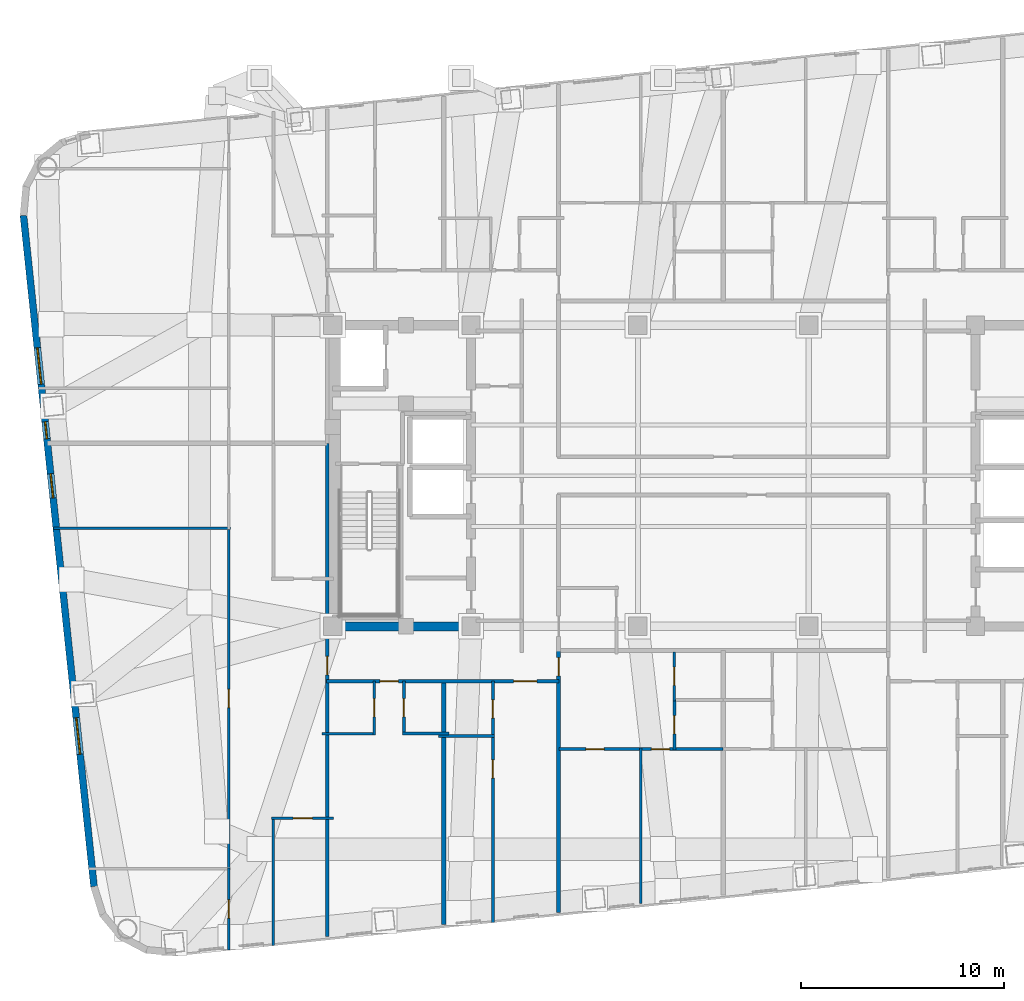
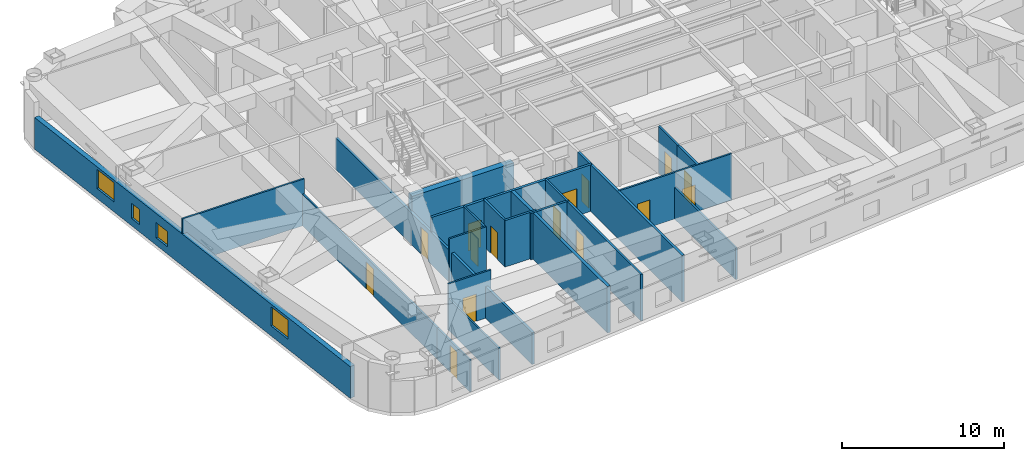
# One storey, part 4 of 13: 22 walls, 15 doors, 4 windows, 19 openings.
"""IFC4 building model written with IfcOpenShell, lengths in metres."""

from ifc_helpers import new_model, si_unit, direction, frame, frame_2d, origin, place, context, subcontext, project, spatial, rectangle, extrude, material, layer, layer_set, type_object, element, fill, save


model = new_model("IFC4")

# Units and contexts
model_context = context("Model", 3, precision=1e-05, world=origin(), true_north=direction((0.0, 1.0)))
body_context = subcontext(model_context, "Body", "Model", "MODEL_VIEW")
ifc_project = project(units=[si_unit("LENGTHUNIT", "METRE"), si_unit("AREAUNIT", "SQUARE_METRE"), si_unit("VOLUMEUNIT", "CUBIC_METRE"), si_unit("PLANEANGLEUNIT", "RADIAN"), si_unit("MASSUNIT", "GRAM", prefix="KILO")], contexts=[model_context])

# Site, building, storey
site_placement = place(None, origin())
site = spatial("IfcSite", under=ifc_project, at=site_placement, CompositionType="ELEMENT")
building_placement = place(site_placement, origin())
building = spatial("IfcBuilding", under=site, at=building_placement, Name="Voryun Gate Residences", CompositionType="ELEMENT")
storey_placement = place(building_placement, frame((0.0, 0.0, 191.10009765625)))
storey = spatial("IfcBuildingStorey", under=building, at=storey_placement, Name="L47", CompositionType="ELEMENT", Elevation=191.10009765625)

# Wall
ifc_material_1 = material(Name="Concrete C50/60", Category="concrete")
ifc_layer_1 = layer(ifc_material_1, 0.449951171875, Name="CW_CORE_450")
ifc_layer_set_1 = layer_set([ifc_layer_1], Name="Concrete C50/60")
wall_type_1 = type_object("IfcWallType", Name="CW_CORE_450", PredefinedType="SHEAR", material=ifc_layer_set_1)
wall_1_placement = place(storey_placement, frame((-19.425048828125, -7.39990234375, 0.0), z_axis=(0.0, 0.0, 1.0), x_axis=(1.0, 0.0, 0.0)))
element("IfcWall", 1, at=wall_1_placement, inside=storey, type_object=wall_type_1, Name="L47 Core shear wall CW-L47-WS", PredefinedType="SHEAR", context=body_context, shape_type="SweptSolid", body=[
    extrude(rectangle(XDim=7.25, YDim=0.449951171875, at=frame_2d((3.625, 0.0))), origin(), (0.0, 0.0, 1.0), 3.5),
])

# Wall, openings, doors
ifc_material_2 = material(Name="Gypsum acoustic fireboard")
ifc_layer_2 = layer(ifc_material_2, 0.179931640625, Name="W_CORR_RATED_180")
ifc_layer_set_2 = layer_set([ifc_layer_2], Name="Gypsum acoustic fireboard")
wall_type_2 = type_object("IfcWallType", Name="W_CORR_RATED_180", PredefinedType="PARTITIONING", material=ifc_layer_set_2)
wall_2_placement = place(storey_placement, frame((-19.5, -10.10009765625, 0.0), z_axis=(0.0, 0.0, 1.0), x_axis=(1.0, 0.0, 0.0)))
wall_2 = element("IfcWall", 2, at=wall_2_placement, inside=storey, type_object=wall_type_2, Name="Partition wall WP-L47-SCORR-W", PredefinedType="PARTITIONING", context=body_context, shape_type="SweptSolid", body=[
    extrude(rectangle(XDim=11.419921875, YDim=0.179931640625, at=frame_2d((5.7099609375, 0.0))), origin(), (0.0, 0.0, 1.0), 3.5),
])
opening_1_placement = place(wall_2_placement, frame((2.623046875, 0.0, 0.0)))
opening_1 = element("IfcOpeningElement", 3, at=opening_1_placement, cuts=wall_2, Name="Opening D-INT-2", PredefinedType="OPENING", context=body_context, shape_type="SweptSolid", body=[
    extrude(rectangle(XDim=0.89990234375, YDim=2.050048828125, at=frame_2d((0.449951171875, 1.02490234375))), frame((0.0, 0.099853515625, 0.0), z_axis=(0.0, -1.0, 0.0), x_axis=(1.0, 0.0, 0.0)), (0.0, 0.0, 1.0), 0.199951171875),
])
opening_2_placement = place(wall_2_placement, frame((9.189208984375, 0.0, 0.0)))
opening_2 = element("IfcOpeningElement", 4, at=opening_2_placement, cuts=wall_2, Name="Opening D-UNIT-1", PredefinedType="OPENING", context=body_context, shape_type="SweptSolid", body=[
    extrude(rectangle(XDim=1.14990234375, YDim=2.050048828125, at=frame_2d((0.574951171875, 1.02490234375))), frame((0.0, 0.099853515625, 0.0), z_axis=(0.0, -1.0, 0.0), x_axis=(1.0, 0.0, 0.0)), (0.0, 0.0, 1.0), 0.199951171875),
])
ifc_material_3 = material(Name="Architectural oak veneer")
door_type_1 = type_object("IfcDoorType", Name="DR_INT_BATH_900", OperationType="NOTDEFINED", PredefinedType="DOOR", material=ifc_material_3)
door_1_placement = place(opening_1_placement, origin())
door_1 = element("IfcDoor", 5, at=door_1_placement, inside=storey, type_object=door_type_1, Name="Door DR-L47-SENT-1", OperationType="SINGLE_SWING_RIGHT", OverallHeight=2.050048828125, OverallWidth=0.89990234375, PredefinedType="DOOR", context=body_context, shape_type="SweptSolid", body=[
    extrude(rectangle(XDim=0.89990234375, YDim=2.050048828125, at=frame_2d((0.449951171875, 1.02490234375))), frame((0.0, 0.02490234375, 0.0), z_axis=(0.0, -1.0, 0.0), x_axis=(1.0, 0.0, 0.0)), (0.0, 0.0, 1.0), 0.050048828125),
])
fill(opening_1, door_1)
ifc_material_4 = material(Name="Armoured timber-clad fire door", Category="wood")
door_type_2 = type_object("IfcDoorType", Name="DR_UNIT_ENTRY_1150", OperationType="NOTDEFINED", PredefinedType="DOOR", material=ifc_material_4)
door_2_placement = place(opening_2_placement, origin())
door_2 = element("IfcDoor", 6, at=door_2_placement, inside=storey, type_object=door_type_2, Name="Door DR-L47-SENT-2", OperationType="SINGLE_SWING_LEFT", OverallHeight=2.050048828125, OverallWidth=1.14990234375, PredefinedType="DOOR", context=body_context, shape_type="SweptSolid", body=[
    extrude(rectangle(XDim=1.14990234375, YDim=2.050048828125, at=frame_2d((0.574951171875, 1.02490234375))), frame((0.0, 0.02490234375, 0.0), z_axis=(0.0, -1.0, 0.0), x_axis=(1.0, 0.0, 0.0)), (0.0, 0.0, 1.0), 0.050048828125),
])
fill(opening_2, door_2)

# Wall, opening, door
wall_3_placement = place(storey_placement, frame((-8.10009765625, -21.456298828125, 0.0), z_axis=(0.0, 0.0, 1.0), x_axis=(0.0, 1.0, 0.0)))
wall_3 = element("IfcWall", 7, at=wall_3_placement, inside=storey, type_object=wall_type_2, Name="Partition wall WP-L47-SZV-1", PredefinedType="PARTITIONING", context=body_context, shape_type="SweptSolid", body=[
    extrude(rectangle(XDim=12.8662109375, YDim=0.179931640625, at=frame_2d((6.43310546875, 0.0))), origin(), (0.0, 0.0, 1.0), 3.5),
])
opening_3_placement = place(wall_3_placement, frame((11.6162109375, 0.0, 0.0)))
opening_3 = element("IfcOpeningElement", 8, at=opening_3_placement, cuts=wall_3, Name="Opening D-INT-2", PredefinedType="OPENING", context=body_context, shape_type="SweptSolid", body=[
    extrude(rectangle(XDim=0.89990234375, YDim=2.050048828125, at=frame_2d((0.449951171875, 1.02490234375))), frame((0.0, 0.099853515625, 0.0), z_axis=(0.0, -1.0, 0.0), x_axis=(1.0, 0.0, 0.0)), (0.0, 0.0, 1.0), 0.199951171875),
])
door_3_placement = place(opening_3_placement, origin())
door_3 = element("IfcDoor", 9, at=door_3_placement, inside=storey, type_object=door_type_1, Name="Door DR-L47-SZENT-1", OperationType="SINGLE_SWING_LEFT", OverallHeight=2.050048828125, OverallWidth=0.89990234375, PredefinedType="DOOR", context=body_context, shape_type="SweptSolid", body=[
    extrude(rectangle(XDim=0.89990234375, YDim=2.050048828125, at=frame_2d((0.449951171875, 1.02490234375))), frame((0.0, 0.02490234375, 0.0), z_axis=(0.0, -1.0, 0.0), x_axis=(1.0, 0.0, 0.0)), (0.0, 0.0, 1.0), 0.050048828125),
])
fill(opening_3, door_3)

wall_4_placement = place(storey_placement, frame((-19.469970703125, -22.651611328125, 0.0), z_axis=(0.0, 0.0, 1.0), x_axis=(0.0, 1.0, 0.0)))
wall_4 = element("IfcWall", 10, at=wall_4_placement, inside=storey, type_object=wall_type_2, Name="Partition wall WP-L47-WCOR1", PredefinedType="PARTITIONING", context=body_context, shape_type="SweptSolid", body=[
    extrude(rectangle(XDim=24.251708984375, YDim=0.179931640625, at=frame_2d((12.1259765625, 0.0))), origin(), (0.0, 0.0, 1.0), 2.389892578125),
])
opening_4_placement = place(wall_4_placement, frame((12.871337890625, 0.0, 0.0)))
opening_4 = element("IfcOpeningElement", 11, at=opening_4_placement, cuts=wall_4, Name="Opening D-INT-2", PredefinedType="OPENING", context=body_context, shape_type="SweptSolid", body=[
    extrude(rectangle(XDim=0.89990234375, YDim=2.050048828125, at=frame_2d((0.449951171875, 1.02490234375))), frame((0.0, 0.099853515625, 0.0), z_axis=(0.0, -1.0, 0.0), x_axis=(1.0, 0.0, 0.0)), (0.0, 0.0, 1.0), 0.199951171875),
])
door_4_placement = place(opening_4_placement, origin())
door_4 = element("IfcDoor", 12, at=door_4_placement, inside=storey, type_object=door_type_1, Name="Door DR-L47-WE1", OperationType="SINGLE_SWING_LEFT", OverallHeight=2.050048828125, OverallWidth=0.89990234375, PredefinedType="DOOR", context=body_context, shape_type="SweptSolid", body=[
    extrude(rectangle(XDim=0.89990234375, YDim=2.050048828125, at=frame_2d((0.449951171875, 1.02490234375))), frame((0.0, 0.02490234375, 0.0), z_axis=(0.0, -1.0, 0.0), x_axis=(1.0, 0.0, 0.0)), (0.0, 0.0, 1.0), 0.050048828125),
])
fill(opening_4, door_4)

# Wall, openings, windows
ifc_material_5 = material(Name="Charcoal terracotta masonry", Category="masonry")
ifc_layer_3 = layer(ifc_material_5, 0.340087890625, Name="W_EXT_TERRACOTTA_340")
ifc_layer_set_3 = layer_set([ifc_layer_3], Name="Charcoal terracotta masonry")
wall_type_3 = type_object("IfcWallType", Name="W_EXT_TERRACOTTA_340", PredefinedType="ELEMENTEDWALL", material=ifc_layer_set_3)
wall_5_placement = place(storey_placement, frame((-30.934326171875, -20.189697265625, 0.0), z_axis=(0.0, 0.0, 1.0), x_axis=(-0.10452691388, 0.994522058214, 0.0)))
wall_5 = element("IfcWall", 13, at=wall_5_placement, inside=storey, type_object=wall_type_3, Name="Exterior wall WEXT-L47-06", PredefinedType="ELEMENTEDWALL", context=body_context, shape_type="SweptSolid", body=[
    extrude(rectangle(XDim=33.16650390625, YDim=0.340087890625, at=frame_2d((16.583251953125, 0.0))), origin(), (0.0, 0.0, 1.0), 2.389892578125),
])
opening_5_placement = place(wall_5_placement, frame((6.54150390625, 0.0, 0.75)))
opening_5 = element("IfcOpeningElement", 14, at=opening_5_placement, cuts=wall_5, Name="Opening WN1", PredefinedType="OPENING", context=body_context, shape_type="SweptSolid", body=[
    extrude(rectangle(XDim=1.800048828125, YDim=1.449951171875, at=frame_2d((0.89990234375, 0.72509765625))), frame((0.0, 0.179931640625, 0.0), z_axis=(0.0, -1.0, 0.0), x_axis=(1.0, 0.0, 0.0)), (0.0, 0.0, 1.0), 0.360107421875),
])
opening_6_placement = place(wall_5_placement, frame((24.824951171875, 0.0, 0.75)))
opening_6 = element("IfcOpeningElement", 15, at=opening_6_placement, cuts=wall_5, Name="Opening WN1", PredefinedType="OPENING", context=body_context, shape_type="SweptSolid", body=[
    extrude(rectangle(XDim=1.800048828125, YDim=1.449951171875, at=frame_2d((0.89990234375, 0.72509765625))), frame((0.0, 0.179931640625, 0.0), z_axis=(0.0, -1.0, 0.0), x_axis=(1.0, 0.0, 0.0)), (0.0, 0.0, 1.0), 0.360107421875),
])
opening_7_placement = place(wall_5_placement, frame((19.204833984375, 0.0, 0.550048828125)))
opening_7 = element("IfcOpeningElement", 16, at=opening_7_placement, cuts=wall_5, Name="Opening WN6", PredefinedType="OPENING", context=body_context, shape_type="SweptSolid", body=[
    extrude(rectangle(XDim=1.199951171875, YDim=1.14990234375, at=frame_2d((0.60009765625, 0.574951171875))), frame((0.0, 0.179931640625, 0.0), z_axis=(0.0, -1.0, 0.0), x_axis=(1.0, 0.0, 0.0)), (0.0, 0.0, 1.0), 0.360107421875),
])
opening_8_placement = place(wall_5_placement, frame((22.127197265625, 0.0, 0.550048828125)))
opening_8 = element("IfcOpeningElement", 17, at=opening_8_placement, cuts=wall_5, Name="Opening WN9", PredefinedType="OPENING", context=body_context, shape_type="SweptSolid", body=[
    extrude(rectangle(XDim=0.85009765625, YDim=1.14990234375, at=frame_2d((0.425048828125, 0.574951171875))), frame((0.0, 0.179931640625, 0.0), z_axis=(0.0, -1.0, 0.0), x_axis=(1.0, 0.0, 0.0)), (0.0, 0.0, 1.0), 0.360107421875),
])
ifc_material_6 = material(Name="Laminated low-E glass", Category="glass")
window_type_1 = type_object("IfcWindowType", Name="WN_POD_SLOT_1200", PartitioningType="SINGLE_PANEL", PredefinedType="WINDOW", material=ifc_material_6)
window_1_placement = place(opening_7_placement, origin())
window_1 = element("IfcWindow", 18, at=window_1_placement, inside=storey, type_object=window_type_1, Name="Window WN-L47-DWFIX-21", OverallHeight=1.14990234375, OverallWidth=1.199951171875, PartitioningType="SINGLE_PANEL", PredefinedType="WINDOW", context=body_context, shape_type="SweptSolid", body=[
    extrude(rectangle(XDim=1.199951171875, YDim=1.14990234375, at=frame_2d((0.60009765625, 0.574951171875))), frame((0.0, 0.030029296875, 0.0), z_axis=(0.0, -1.0, 0.0), x_axis=(1.0, 0.0, 0.0)), (0.0, 0.0, 1.0), 0.06005859375),
])
fill(opening_7, window_1)
ifc_material_7 = material(Name="Laminated low-E glass", Category="glass")
window_type_2 = type_object("IfcWindowType", Name="WN_RES_CASEMENT_850", PartitioningType="SINGLE_PANEL", PredefinedType="WINDOW", material=ifc_material_7)
window_2_placement = place(opening_8_placement, origin())
window_2 = element("IfcWindow", 19, at=window_2_placement, inside=storey, type_object=window_type_2, Name="Window WN-L47-DWFIX-25", OverallHeight=1.14990234375, OverallWidth=0.85009765625, PartitioningType="SINGLE_PANEL", PredefinedType="WINDOW", context=body_context, shape_type="SweptSolid", body=[
    extrude(rectangle(XDim=0.85009765625, YDim=1.14990234375, at=frame_2d((0.425048828125, 0.574951171875))), frame((0.0, 0.030029296875, 0.0), z_axis=(0.0, -1.0, 0.0), x_axis=(1.0, 0.0, 0.0)), (0.0, 0.0, 1.0), 0.06005859375),
])
fill(opening_8, window_2)
ifc_material_8 = material(Name="Laminated low-E glass", Category="glass")
window_type_3 = type_object("IfcWindowType", Name="WN_RES_PUNCH_1800", PartitioningType="SINGLE_PANEL", PredefinedType="WINDOW", material=ifc_material_8)
window_3_placement = place(opening_5_placement, origin())
window_3 = element("IfcWindow", 20, at=window_3_placement, inside=storey, type_object=window_type_3, Name="Window WN-WEXT-L47-06-01", OverallHeight=1.449951171875, OverallWidth=1.800048828125, PartitioningType="SINGLE_PANEL", PredefinedType="WINDOW", context=body_context, shape_type="SweptSolid", body=[
    extrude(rectangle(XDim=1.800048828125, YDim=1.449951171875, at=frame_2d((0.89990234375, 0.72509765625))), frame((0.0, 0.030029296875, 0.0), z_axis=(0.0, -1.0, 0.0), x_axis=(1.0, 0.0, 0.0)), (0.0, 0.0, 1.0), 0.06005859375),
])
fill(opening_5, window_3)
window_4_placement = place(opening_6_placement, origin())
window_4 = element("IfcWindow", 21, at=window_4_placement, inside=storey, type_object=window_type_3, Name="Window WN-WEXT-L47-06-02", OverallHeight=1.449951171875, OverallWidth=1.800048828125, PartitioningType="SINGLE_PANEL", PredefinedType="WINDOW", context=body_context, shape_type="SweptSolid", body=[
    extrude(rectangle(XDim=1.800048828125, YDim=1.449951171875, at=frame_2d((0.89990234375, 0.72509765625))), frame((0.0, 0.030029296875, 0.0), z_axis=(0.0, -1.0, 0.0), x_axis=(1.0, 0.0, 0.0)), (0.0, 0.0, 1.0), 0.06005859375),
])
fill(opening_6, window_4)

# Wall
ifc_material_9 = material(Name="Concrete C40/50", Category="concrete")
ifc_layer_4 = layer(ifc_material_9, 0.219970703125, Name="W_PARTY_ACOUSTIC_220")
ifc_layer_set_4 = layer_set([ifc_layer_4], Name="Concrete C40/50")
wall_type_4 = type_object("IfcWallType", Name="W_PARTY_ACOUSTIC_220", PredefinedType="PARTITIONING", material=ifc_layer_set_4)
wall_6_placement = place(storey_placement, frame((-13.739990234375, -22.04931640625, 0.0), z_axis=(0.0, 0.0, 1.0), x_axis=(0.0, 1.0, 0.0)))
element("IfcWall", 22, at=wall_6_placement, inside=storey, type_object=wall_type_4, Name="Partition wall WP-L47-SPTY-1", PredefinedType="PARTITIONING", context=body_context, shape_type="SweptSolid", body=[
    extrude(rectangle(XDim=12.029296875, YDim=0.219970703125, at=frame_2d((6.0146484375, 0.0))), origin(), (0.0, 0.0, 1.0), 3.5),
])

# Wall, opening, door
ifc_material_10 = material(Name="Gypsum acoustic partition")
ifc_layer_5 = layer(ifc_material_10, 0.125, Name="W_UNIT_PART_125")
ifc_layer_set_5 = layer_set([ifc_layer_5], Name="Gypsum acoustic partition")
wall_type_5 = type_object("IfcWallType", Name="W_UNIT_PART_125", PredefinedType="PARTITIONING", material=ifc_layer_set_5)
wall_7_placement = place(storey_placement, frame((-17.14990234375, -12.72998046875, 0.0), z_axis=(0.0, 0.0, 1.0), x_axis=(0.0, 1.0, 0.0)))
wall_7 = element("IfcWall", 23, at=wall_7_placement, inside=storey, type_object=wall_type_5, Name="Partition wall WP-L47-S1-CVK", PredefinedType="PARTITIONING", context=body_context, shape_type="SweptSolid", body=[
    extrude(rectangle(XDim=2.64990234375, YDim=0.125, at=frame_2d((1.324951171875, 0.0))), origin(), (0.0, 0.0, 1.0), 3.5),
])
opening_9_placement = place(wall_7_placement, frame((0.875, 0.0, 0.0)))
opening_9 = element("IfcOpeningElement", 24, at=opening_9_placement, cuts=wall_7, Name="Opening D-INT-2", PredefinedType="OPENING", context=body_context, shape_type="SweptSolid", body=[
    extrude(rectangle(XDim=0.89990234375, YDim=2.050048828125, at=frame_2d((0.449951171875, 1.02490234375))), frame((0.0, 0.072509765625, 0.0), z_axis=(0.0, -1.0, 0.0), x_axis=(1.0, 0.0, 0.0)), (0.0, 0.0, 1.0), 0.14501953125),
])
door_5_placement = place(opening_9_placement, origin())
door_5 = element("IfcDoor", 25, at=door_5_placement, inside=storey, type_object=door_type_1, Name="Door DR-L47-S1-DK", OperationType="SINGLE_SWING_LEFT", OverallHeight=2.050048828125, OverallWidth=0.89990234375, PredefinedType="DOOR", context=body_context, shape_type="SweptSolid", body=[
    extrude(rectangle(XDim=0.89990234375, YDim=2.050048828125, at=frame_2d((0.449951171875, 1.02490234375))), frame((0.0, 0.02490234375, 0.0), z_axis=(0.0, -1.0, 0.0), x_axis=(1.0, 0.0, 0.0)), (0.0, 0.0, 1.0), 0.050048828125),
])
fill(opening_9, door_5)

# Wall
wall_8_placement = place(storey_placement, frame((-19.719970703125, -12.669921875, 0.0), z_axis=(0.0, 0.0, 1.0), x_axis=(1.0, 0.0, 0.0)))
element("IfcWall", 26, at=wall_8_placement, inside=storey, type_object=wall_type_5, Name="Partition wall WP-L47-S1-CHK", PredefinedType="PARTITIONING", context=body_context, shape_type="SweptSolid", body=[
    extrude(rectangle(XDim=2.6298828125, YDim=0.125, at=frame_2d((1.31494140625, 0.0))), origin(), (0.0, 0.0, 1.0), 3.5),
])

# Wall, openings, doors
wall_9_placement = place(storey_placement, frame((-8.080078125, -13.429931640625, 0.0), z_axis=(0.0, 0.0, 1.0), x_axis=(1.0, 0.0, 0.0)))
wall_9 = element("IfcWall", 27, at=wall_9_placement, inside=storey, type_object=wall_type_5, Name="Partition wall WP-L47-SC1-HZ", PredefinedType="PARTITIONING", context=body_context, shape_type="SweptSolid", body=[
    extrude(rectangle(XDim=8.06005859375, YDim=0.125, at=frame_2d((4.030029296875, 0.0))), origin(), (0.0, 0.0, 1.0), 3.5),
])
opening_10_placement = place(wall_9_placement, frame((1.3232421875, 0.0, 0.0)))
opening_10 = element("IfcOpeningElement", 28, at=opening_10_placement, cuts=wall_9, Name="Opening D-INT-2", PredefinedType="OPENING", context=body_context, shape_type="SweptSolid", body=[
    extrude(rectangle(XDim=0.89990234375, YDim=2.050048828125, at=frame_2d((0.449951171875, 1.02490234375))), frame((0.0, 0.072509765625, 0.0), z_axis=(0.0, -1.0, 0.0), x_axis=(1.0, 0.0, 0.0)), (0.0, 0.0, 1.0), 0.14501953125),
])
opening_11_placement = place(wall_9_placement, frame((4.547119140625, 0.0, 0.0)))
opening_11 = element("IfcOpeningElement", 29, at=opening_11_placement, cuts=wall_9, Name="Opening D-INT-2", PredefinedType="OPENING", context=body_context, shape_type="SweptSolid", body=[
    extrude(rectangle(XDim=0.89990234375, YDim=2.050048828125, at=frame_2d((0.449951171875, 1.02490234375))), frame((0.0, 0.072509765625, 0.0), z_axis=(0.0, -1.0, 0.0), x_axis=(1.0, 0.0, 0.0)), (0.0, 0.0, 1.0), 0.14501953125),
])
door_6_placement = place(opening_10_placement, origin())
door_6 = element("IfcDoor", 30, at=door_6_placement, inside=storey, type_object=door_type_1, Name="Door DR-L47-SC1-DMB", OperationType="SINGLE_SWING_LEFT", OverallHeight=2.050048828125, OverallWidth=0.89990234375, PredefinedType="DOOR", context=body_context, shape_type="SweptSolid", body=[
    extrude(rectangle(XDim=0.89990234375, YDim=2.050048828125, at=frame_2d((0.449951171875, 1.02490234375))), frame((0.0, 0.02490234375, 0.0), z_axis=(0.0, -1.0, 0.0), x_axis=(1.0, 0.0, 0.0)), (0.0, 0.0, 1.0), 0.050048828125),
])
fill(opening_10, door_6)
door_7_placement = place(opening_11_placement, origin())
door_7 = element("IfcDoor", 31, at=door_7_placement, inside=storey, type_object=door_type_1, Name="Door DR-L47-SC1-DBD2", OperationType="SINGLE_SWING_RIGHT", OverallHeight=2.050048828125, OverallWidth=0.89990234375, PredefinedType="DOOR", context=body_context, shape_type="SweptSolid", body=[
    extrude(rectangle(XDim=0.89990234375, YDim=2.050048828125, at=frame_2d((0.449951171875, 1.02490234375))), frame((0.0, 0.02490234375, 0.0), z_axis=(0.0, -1.0, 0.0), x_axis=(1.0, 0.0, 0.0)), (0.0, 0.0, 1.0), 0.050048828125),
])
fill(opening_11, door_7)

# Wall, opening, door
wall_10_placement = place(storey_placement, frame((-2.409912109375, -11.06005859375, 0.0), z_axis=(0.0, 0.0, 1.0), x_axis=(0.0, 1.0, 0.0)))
wall_10 = element("IfcWall", 32, at=wall_10_placement, inside=storey, type_object=wall_type_5, Name="Partition wall WP-L47-SC1-VK1", PredefinedType="PARTITIONING", context=body_context, shape_type="SweptSolid", body=[
    extrude(rectangle(XDim=2.41015625, YDim=0.125, at=frame_2d((1.205078125, 0.0))), origin(), (0.0, 0.0, 1.0), 3.5),
])
opening_12_placement = place(wall_10_placement, frame((0.7548828125, 0.0, 0.0)))
opening_12 = element("IfcOpeningElement", 33, at=opening_12_placement, cuts=wall_10, Name="Opening D-INT-2", PredefinedType="OPENING", context=body_context, shape_type="SweptSolid", body=[
    extrude(rectangle(XDim=0.89990234375, YDim=2.050048828125, at=frame_2d((0.449951171875, 1.02490234375))), frame((0.0, 0.072509765625, 0.0), z_axis=(0.0, -1.0, 0.0), x_axis=(1.0, 0.0, 0.0)), (0.0, 0.0, 1.0), 0.14501953125),
])
door_8_placement = place(opening_12_placement, origin())
door_8 = element("IfcDoor", 34, at=door_8_placement, inside=storey, type_object=door_type_1, Name="Door DR-L47-SC1-DK", OperationType="SINGLE_SWING_LEFT", OverallHeight=2.050048828125, OverallWidth=0.89990234375, PredefinedType="DOOR", context=body_context, shape_type="SweptSolid", body=[
    extrude(rectangle(XDim=0.89990234375, YDim=2.050048828125, at=frame_2d((0.449951171875, 1.02490234375))), frame((0.0, 0.02490234375, 0.0), z_axis=(0.0, -1.0, 0.0), x_axis=(1.0, 0.0, 0.0)), (0.0, 0.0, 1.0), 0.050048828125),
])
fill(opening_12, door_8)

# Walls
wall_11_placement = place(storey_placement, frame((-4.050048828125, -21.03076171875, 0.0), z_axis=(0.0, 0.0, 1.0), x_axis=(0.0, 1.0, 0.0)))
element("IfcWall", 35, at=wall_11_placement, inside=storey, type_object=wall_type_5, Name="Partition wall WP-L47-SC1-VBD", PredefinedType="PARTITIONING", context=body_context, shape_type="SweptSolid", body=[
    extrude(rectangle(XDim=7.640869140625, YDim=0.125, at=frame_2d((3.8203125, 0.0))), origin(), (0.0, 0.0, 1.0), 2.389892578125),
])
wall_12_placement = place(storey_placement, frame((-32.935791015625, -2.58203125, 0.0), z_axis=(0.0, 0.0, 1.0), x_axis=(1.0, 0.0, 0.0)))
element("IfcWall", 36, at=wall_12_placement, inside=storey, type_object=wall_type_5, Name="Partition wall WP-L47-W1-OH2", PredefinedType="PARTITIONING", context=body_context, shape_type="SweptSolid", body=[
    extrude(rectangle(XDim=8.7158203125, YDim=0.125, at=frame_2d((4.35791015625, 0.0))), origin(), (0.0, 0.0, 1.0), 3.5),
])

# Wall, opening, door
wall_13_placement = place(storey_placement, frame((-24.300048828125, -23.31005859375, 0.0), z_axis=(0.0, 0.0, 1.0), x_axis=(0.0, 1.0, 0.0)))
wall_13 = element("IfcWall", 37, at=wall_13_placement, inside=storey, type_object=wall_type_5, Name="Partition wall WP-L47-W1-OVX1", PredefinedType="PARTITIONING", context=body_context, shape_type="SweptSolid", body=[
    extrude(rectangle(XDim=4.0400390625, YDim=0.125, at=frame_2d((2.02001953125, 0.0))), origin(), (0.0, 0.0, 1.0), 2.389892578125),
])
opening_13_placement = place(wall_13_placement, frame((1.570068359375, 0.0, 0.0)))
opening_13 = element("IfcOpeningElement", 38, at=opening_13_placement, cuts=wall_13, Name="Opening D-INT-2", PredefinedType="OPENING", context=body_context, shape_type="SweptSolid", body=[
    extrude(rectangle(XDim=0.89990234375, YDim=2.050048828125, at=frame_2d((0.449951171875, 1.02490234375))), frame((0.0, 0.072509765625, 0.0), z_axis=(0.0, -1.0, 0.0), x_axis=(1.0, 0.0, 0.0)), (0.0, 0.0, 1.0), 0.14501953125),
])
door_9_placement = place(opening_13_placement, origin())
door_9 = element("IfcDoor", 39, at=door_9_placement, inside=storey, type_object=door_type_1, Name="Door DR-L47-W1-DBD2", OperationType="SINGLE_SWING_LEFT", OverallHeight=2.050048828125, OverallWidth=0.89990234375, PredefinedType="DOOR", context=body_context, shape_type="SweptSolid", body=[
    extrude(rectangle(XDim=0.89990234375, YDim=2.050048828125, at=frame_2d((0.449951171875, 1.02490234375))), frame((0.0, 0.02490234375, 0.0), z_axis=(0.0, -1.0, 0.0), x_axis=(1.0, 0.0, 0.0)), (0.0, 0.0, 1.0), 0.050048828125),
])
fill(opening_13, door_9)

wall_14_placement = place(storey_placement, frame((-24.300048828125, -19.3701171875, 0.0), z_axis=(0.0, 0.0, 1.0), x_axis=(0.0, 1.0, 0.0)))
wall_14 = element("IfcWall", 40, at=wall_14_placement, inside=storey, type_object=wall_type_5, Name="Partition wall WP-L47-W1-OVX2", PredefinedType="PARTITIONING", context=body_context, shape_type="SweptSolid", body=[
    extrude(rectangle(XDim=16.838134765625, YDim=0.125, at=frame_2d((8.4189453125, 0.0))), origin(), (0.0, 0.0, 1.0), 2.389892578125),
])
opening_14_placement = place(wall_14_placement, frame((7.968994140625, 0.0, 0.0)))
opening_14 = element("IfcOpeningElement", 41, at=opening_14_placement, cuts=wall_14, Name="Opening D-INT-2", PredefinedType="OPENING", context=body_context, shape_type="SweptSolid", body=[
    extrude(rectangle(XDim=0.89990234375, YDim=2.050048828125, at=frame_2d((0.449951171875, 1.02490234375))), frame((0.0, 0.072509765625, 0.0), z_axis=(0.0, -1.0, 0.0), x_axis=(1.0, 0.0, 0.0)), (0.0, 0.0, 1.0), 0.14501953125),
])
door_10_placement = place(opening_14_placement, origin())
door_10 = element("IfcDoor", 42, at=door_10_placement, inside=storey, type_object=door_type_1, Name="Door DR-L47-W1-DSTD", OperationType="SINGLE_SWING_RIGHT", OverallHeight=2.050048828125, OverallWidth=0.89990234375, PredefinedType="DOOR", context=body_context, shape_type="SweptSolid", body=[
    extrude(rectangle(XDim=0.89990234375, YDim=2.050048828125, at=frame_2d((0.449951171875, 1.02490234375))), frame((0.0, 0.02490234375, 0.0), z_axis=(0.0, -1.0, 0.0), x_axis=(1.0, 0.0, 0.0)), (0.0, 0.0, 1.0), 0.050048828125),
])
fill(opening_14, door_10)

wall_15_placement = place(storey_placement, frame((-22.199951171875, -16.842041015625, 0.0), z_axis=(0.0, 0.0, 1.0), x_axis=(1.0, 0.0, 0.0)))
wall_15 = element("IfcWall", 43, at=wall_15_placement, inside=storey, type_object=wall_type_5, Name="Partition wall WP-L47-W1-IKA", PredefinedType="PARTITIONING", context=body_context, shape_type="SweptSolid", body=[
    extrude(rectangle(XDim=3.050048828125, YDim=0.125, at=frame_2d((1.52490234375, 0.0))), origin(), (0.0, 0.0, 1.0), 3.5),
])
opening_15_placement = place(wall_15_placement, frame((1.050048828125, 0.0, 0.0)))
opening_15 = element("IfcOpeningElement", 44, at=opening_15_placement, cuts=wall_15, Name="Opening D-INT-1", PredefinedType="OPENING", context=body_context, shape_type="SweptSolid", body=[
    extrude(rectangle(XDim=0.949951171875, YDim=2.050048828125, at=frame_2d((0.47509765625, 1.02490234375))), frame((0.0, 0.072509765625, 0.0), z_axis=(0.0, -1.0, 0.0), x_axis=(1.0, 0.0, 0.0)), (0.0, 0.0, 1.0), 0.14501953125),
])
ifc_material_11 = material(Name="Architectural oak veneer")
door_type_3 = type_object("IfcDoorType", Name="DR_INT_ROOM_950", OperationType="NOTDEFINED", PredefinedType="DOOR", material=ifc_material_11)
door_11_placement = place(opening_15_placement, origin())
door_11 = element("IfcDoor", 45, at=door_11_placement, inside=storey, type_object=door_type_3, Name="Door DR-L47-W1-DK", OperationType="SINGLE_SWING_LEFT", OverallHeight=2.050048828125, OverallWidth=0.949951171875, PredefinedType="DOOR", context=body_context, shape_type="SweptSolid", body=[
    extrude(rectangle(XDim=0.949951171875, YDim=2.050048828125, at=frame_2d((0.47509765625, 1.02490234375))), frame((0.0, 0.02490234375, 0.0), z_axis=(0.0, -1.0, 0.0), x_axis=(1.0, 0.0, 0.0)), (0.0, 0.0, 1.0), 0.050048828125),
])
fill(opening_15, door_11)

# Wall
wall_16_placement = place(storey_placement, frame((-22.1201171875, -23.080810546875, 0.0), z_axis=(0.0, 0.0, 1.0), x_axis=(0.0, 1.0, 0.0)))
element("IfcWall", 46, at=wall_16_placement, inside=storey, type_object=wall_type_5, Name="Partition wall WP-L47-W1-VTA", PredefinedType="PARTITIONING", context=body_context, shape_type="SweptSolid", body=[
    extrude(rectangle(XDim=6.31884765625, YDim=0.125, at=frame_2d((3.159423828125, 0.0))), origin(), (0.0, 0.0, 1.0), 2.389892578125),
])

# Wall, opening, door
ifc_material_12 = material(Name="Gypsum moisture-resistant partition")
ifc_layer_6 = layer(ifc_material_12, 0.14990234375, Name="W_WET_PLUMB_150")
ifc_layer_set_6 = layer_set([ifc_layer_6], Name="Gypsum moisture-resistant partition")
wall_type_6 = type_object("IfcWallType", Name="W_WET_PLUMB_150", PredefinedType="PLUMBINGWALL", material=ifc_layer_set_6)
wall_17_placement = place(storey_placement, frame((-15.7041015625, -12.72998046875, 0.0), z_axis=(0.0, 0.0, 1.0), x_axis=(0.0, 1.0, 0.0)))
wall_17 = element("IfcWall", 47, at=wall_17_placement, inside=storey, type_object=wall_type_6, Name="Partition wall WP-L47-S1-CVB", PredefinedType="PLUMBINGWALL", context=body_context, shape_type="SweptSolid", body=[
    extrude(rectangle(XDim=2.64990234375, YDim=0.14990234375, at=frame_2d((1.324951171875, 0.0))), origin(), (0.0, 0.0, 1.0), 3.5),
])
opening_16_placement = place(wall_17_placement, frame((0.875, 0.0, 0.0)))
opening_16 = element("IfcOpeningElement", 48, at=opening_16_placement, cuts=wall_17, Name="Opening D-INT-2", PredefinedType="OPENING", context=body_context, shape_type="SweptSolid", body=[
    extrude(rectangle(XDim=0.89990234375, YDim=2.050048828125, at=frame_2d((0.449951171875, 1.02490234375))), frame((0.0, 0.0849609375, 0.0), z_axis=(0.0, -1.0, 0.0), x_axis=(1.0, 0.0, 0.0)), (0.0, 0.0, 1.0), 0.169921875),
])
door_12_placement = place(opening_16_placement, origin())
door_12 = element("IfcDoor", 49, at=door_12_placement, inside=storey, type_object=door_type_1, Name="Door DR-L47-S1-DB", OperationType="SINGLE_SWING_RIGHT", OverallHeight=2.050048828125, OverallWidth=0.89990234375, PredefinedType="DOOR", context=body_context, shape_type="SweptSolid", body=[
    extrude(rectangle(XDim=0.89990234375, YDim=2.050048828125, at=frame_2d((0.449951171875, 1.02490234375))), frame((0.0, 0.02490234375, 0.0), z_axis=(0.0, -1.0, 0.0), x_axis=(1.0, 0.0, 0.0)), (0.0, 0.0, 1.0), 0.050048828125),
])
fill(opening_16, door_12)

# Walls
wall_18_placement = place(storey_placement, frame((-15.763916015625, -12.669921875, 0.0), z_axis=(0.0, 0.0, 1.0), x_axis=(1.0, 0.0, 0.0)))
element("IfcWall", 50, at=wall_18_placement, inside=storey, type_object=wall_type_6, Name="Partition wall WP-L47-S1-CHB", PredefinedType="PLUMBINGWALL", context=body_context, shape_type="SweptSolid", body=[
    extrude(rectangle(XDim=2.283935546875, YDim=0.14990234375, at=frame_2d((1.14208984375, 0.0))), origin(), (0.0, 0.0, 1.0), 3.5),
])
wall_19_placement = place(storey_placement, frame((-14.0, -12.800048828125, 0.0), z_axis=(0.0, 0.0, 1.0), x_axis=(1.0, 0.0, 0.0)))
element("IfcWall", 51, at=wall_19_placement, inside=storey, type_object=wall_type_6, Name="Partition wall WP-L47-S2-SKB", PredefinedType="PLUMBINGWALL", context=body_context, shape_type="SweptSolid", body=[
    extrude(rectangle(XDim=2.7490234375, YDim=0.14990234375, at=frame_2d((1.37451171875, 0.0))), origin(), (0.0, 0.0, 1.0), 3.5),
])

# Wall, opening, door
wall_20_placement = place(storey_placement, frame((-11.3310546875, -21.947021484375, 0.0), z_axis=(0.0, 0.0, 1.0), x_axis=(0.0, 1.0, 0.0)))
wall_20 = element("IfcWall", 52, at=wall_20_placement, inside=storey, type_object=wall_type_6, Name="Partition wall WP-L47-S2-SVT1", PredefinedType="PLUMBINGWALL", context=body_context, shape_type="SweptSolid", body=[
    extrude(rectangle(XDim=9.18701171875, YDim=0.14990234375, at=frame_2d((4.593505859375, 0.0))), origin(), (0.0, 0.0, 1.0), 3.5),
])
opening_17_placement = place(wall_20_placement, frame((7.083251953125, 0.0, 0.0)))
opening_17 = element("IfcOpeningElement", 53, at=opening_17_placement, cuts=wall_20, Name="Opening D-INT-2", PredefinedType="OPENING", context=body_context, shape_type="SweptSolid", body=[
    extrude(rectangle(XDim=0.89990234375, YDim=2.050048828125, at=frame_2d((0.449951171875, 1.02490234375))), frame((0.0, 0.0849609375, 0.0), z_axis=(0.0, -1.0, 0.0), x_axis=(1.0, 0.0, 0.0)), (0.0, 0.0, 1.0), 0.169921875),
])
door_13_placement = place(opening_17_placement, origin())
door_13 = element("IfcDoor", 54, at=door_13_placement, inside=storey, type_object=door_type_1, Name="Door DR-L47-S2-DK", OperationType="SINGLE_SWING_LEFT", OverallHeight=2.050048828125, OverallWidth=0.89990234375, PredefinedType="DOOR", context=body_context, shape_type="SweptSolid", body=[
    extrude(rectangle(XDim=0.89990234375, YDim=2.050048828125, at=frame_2d((0.449951171875, 1.02490234375))), frame((0.0, 0.02490234375, 0.0), z_axis=(0.0, -1.0, 0.0), x_axis=(1.0, 0.0, 0.0)), (0.0, 0.0, 1.0), 0.050048828125),
])
fill(opening_17, door_13)

wall_21_placement = place(storey_placement, frame((-11.3310546875, -12.840087890625, 0.0), z_axis=(0.0, 0.0, 1.0), x_axis=(0.0, 1.0, 0.0)))
wall_21 = element("IfcWall", 55, at=wall_21_placement, inside=storey, type_object=wall_type_6, Name="Partition wall WP-L47-S2-SVT2", PredefinedType="PLUMBINGWALL", context=body_context, shape_type="SweptSolid", body=[
    extrude(rectangle(XDim=2.760009765625, YDim=0.14990234375, at=frame_2d((1.3798828125, 0.0))), origin(), (0.0, 0.0, 1.0), 3.5),
])
opening_18_placement = place(wall_21_placement, frame((0.929931640625, 0.0, 0.0)))
opening_18 = element("IfcOpeningElement", 56, at=opening_18_placement, cuts=wall_21, Name="Opening D-INT-2", PredefinedType="OPENING", context=body_context, shape_type="SweptSolid", body=[
    extrude(rectangle(XDim=0.89990234375, YDim=2.050048828125, at=frame_2d((0.449951171875, 1.02490234375))), frame((0.0, 0.0849609375, 0.0), z_axis=(0.0, -1.0, 0.0), x_axis=(1.0, 0.0, 0.0)), (0.0, 0.0, 1.0), 0.169921875),
])
door_14_placement = place(opening_18_placement, origin())
door_14 = element("IfcDoor", 57, at=door_14_placement, inside=storey, type_object=door_type_1, Name="Door DR-L47-S2-DB", OperationType="SINGLE_SWING_RIGHT", OverallHeight=2.050048828125, OverallWidth=0.89990234375, PredefinedType="DOOR", context=body_context, shape_type="SweptSolid", body=[
    extrude(rectangle(XDim=0.89990234375, YDim=2.050048828125, at=frame_2d((0.449951171875, 1.02490234375))), frame((0.0, 0.02490234375, 0.0), z_axis=(0.0, -1.0, 0.0), x_axis=(1.0, 0.0, 0.0)), (0.0, 0.0, 1.0), 0.050048828125),
])
fill(opening_18, door_14)

wall_22_placement = place(storey_placement, frame((-2.409912109375, -13.469970703125, 0.0), z_axis=(0.0, 0.0, 1.0), x_axis=(0.0, 1.0, 0.0)))
wall_22 = element("IfcWall", 58, at=wall_22_placement, inside=storey, type_object=wall_type_6, Name="Partition wall WP-L47-SC1-VK2", PredefinedType="PLUMBINGWALL", context=body_context, shape_type="SweptSolid", body=[
    extrude(rectangle(XDim=2.469970703125, YDim=0.14990234375, at=frame_2d((1.23486328125, 0.0))), origin(), (0.0, 0.0, 1.0), 3.5),
])
opening_19_placement = place(wall_22_placement, frame((0.784912109375, 0.0, 0.0)))
opening_19 = element("IfcOpeningElement", 59, at=opening_19_placement, cuts=wall_22, Name="Opening D-INT-2", PredefinedType="OPENING", context=body_context, shape_type="SweptSolid", body=[
    extrude(rectangle(XDim=0.89990234375, YDim=2.050048828125, at=frame_2d((0.449951171875, 1.02490234375))), frame((0.0, 0.0849609375, 0.0), z_axis=(0.0, -1.0, 0.0), x_axis=(1.0, 0.0, 0.0)), (0.0, 0.0, 1.0), 0.169921875),
])
door_15_placement = place(opening_19_placement, origin())
door_15 = element("IfcDoor", 60, at=door_15_placement, inside=storey, type_object=door_type_1, Name="Door DR-L47-SC1-DB", OperationType="SINGLE_SWING_RIGHT", OverallHeight=2.050048828125, OverallWidth=0.89990234375, PredefinedType="DOOR", context=body_context, shape_type="SweptSolid", body=[
    extrude(rectangle(XDim=0.89990234375, YDim=2.050048828125, at=frame_2d((0.449951171875, 1.02490234375))), frame((0.0, 0.02490234375, 0.0), z_axis=(0.0, -1.0, 0.0), x_axis=(1.0, 0.0, 0.0)), (0.0, 0.0, 1.0), 0.050048828125),
])
fill(opening_19, door_15)

save(model, "model.ifc")
